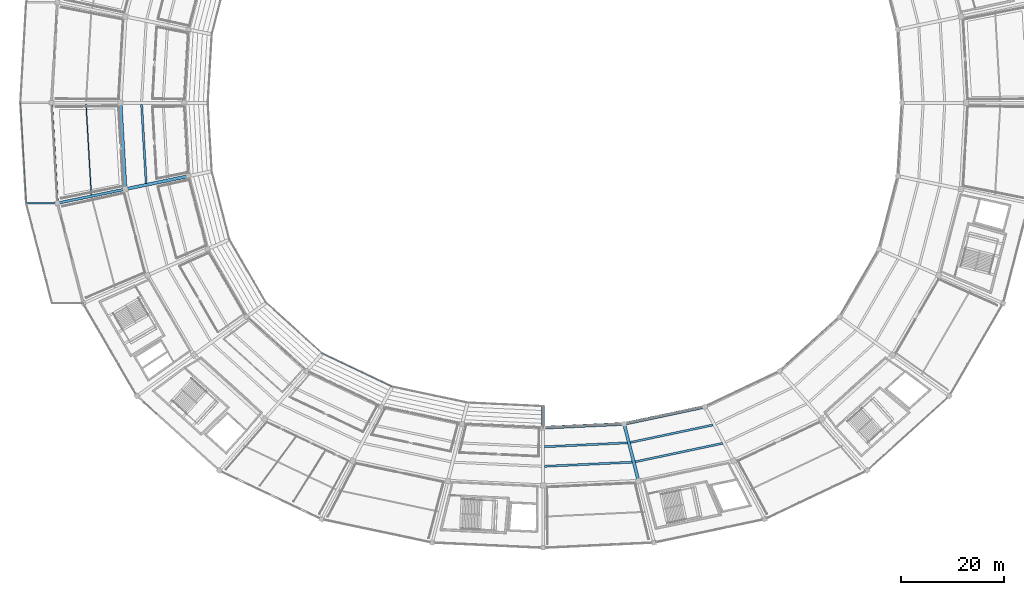
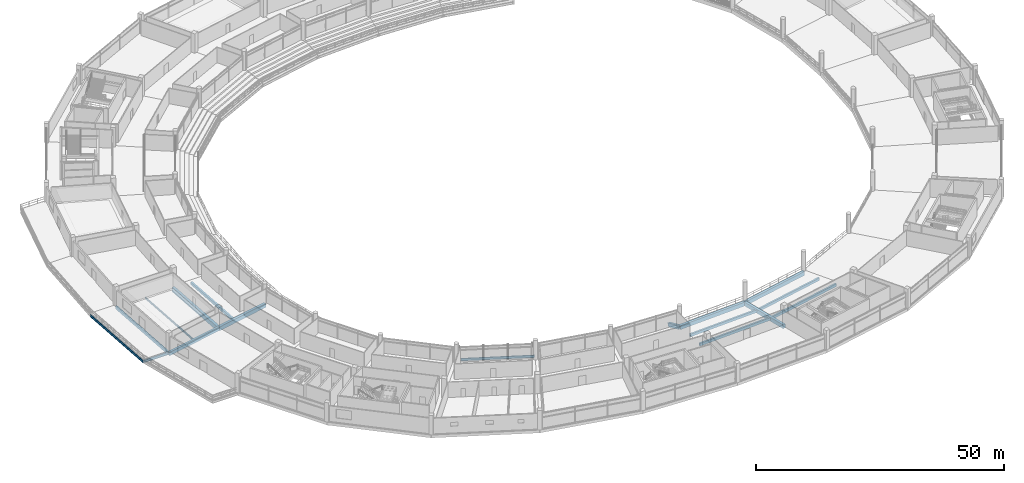
# One storey, part 33 of 171: 17 beams.
"""IFC4 building model written with IfcOpenShell, lengths in metres."""

from ifc_helpers import new_model, si_unit, direction, frame, origin, origin_2d, place, context, subcontext, project, spatial, rectangle, i_section, extrude, material, material_profile, profile_set, type_object, element, save


model = new_model("IFC4")

# Units and contexts
model_context = context("Model", 3, precision=1e-05, world=origin(), true_north=direction((0.0, 1.0)))
body_context = subcontext(model_context, "Body", "Model", "MODEL_VIEW")
ifc_project = project(units=[si_unit("LENGTHUNIT", "METRE"), si_unit("AREAUNIT", "SQUARE_METRE"), si_unit("VOLUMEUNIT", "CUBIC_METRE"), si_unit("PLANEANGLEUNIT", "RADIAN"), si_unit("MASSUNIT", "GRAM", prefix="KILO")], contexts=[model_context])

# Site, building, storey
site_placement = place(None, origin())
site = spatial("IfcSite", under=ifc_project, at=site_placement, CompositionType="ELEMENT")
building_placement = place(site_placement, origin())
building = spatial("IfcBuilding", under=site, at=building_placement, Name="Kazemori Nagisa Stadium", CompositionType="ELEMENT")
storey_placement = place(building_placement, frame((0.0, 0.0, 15.639892578125)))
storey = spatial("IfcBuildingStorey", under=building, at=storey_placement, Name="L03", CompositionType="ELEMENT", Elevation=15.639892578125)

# Beams
ifc_material_1 = material(Name="Steel SN490B", Category="steel")
ifc_material_profile_1 = material_profile(ifc_material_1, i_section(OverallWidth=0.300048828125, OverallDepth=0.587890625, WebThickness=0.011962890625, FlangeThickness=0.02001953125, FilletRadius=0.012939453125, at=origin_2d()), Name="H-588x300x12x20")
ifc_profile_set_1 = profile_set([ifc_material_profile_1], Name="Steel SN490B")
beam_type_1 = type_object("IfcBeamType", Name="Beam_BG-H588", PredefinedType="BEAM", material=ifc_profile_set_1)
beam_1_placement = place(storey_placement, frame((29.119140625, 82.602294921875, -0.533935546875), z_axis=(-1.0, 0.0, 0.0), x_axis=(0.0, -1.0, 0.0)))
element("IfcBeam", 1, at=beam_1_placement, inside=storey, type_object=beam_type_1, Name="Boulevard radial girder BG-H588 L03 R4-16", PredefinedType="BEAM", context=body_context, shape_type="SweptSolid", body=[
    extrude(i_section(OverallWidth=0.300048828125, OverallDepth=0.587890625, WebThickness=0.011962890625, FlangeThickness=0.02001953125, FilletRadius=0.012939453125, at=origin_2d()), origin(), (0.0, 0.0, 1.0), 6.0),
])
ifc_material_2 = material(Name="Concrete C40/50 (Fc42)", Category="concrete")
ifc_material_profile_2 = material_profile(ifc_material_2, rectangle(XDim=0.5, YDim=0.85009765625, at=origin_2d()), Name="RC-BM-500x850")
ifc_profile_set_2 = profile_set([ifc_material_profile_2], Name="Concrete C40/50 (Fc42)")
beam_type_2 = type_object("IfcBeamType", Name="Beam_BG-RC500X850", PredefinedType="BEAM", material=ifc_profile_set_2)
beam_2_placement = place(storey_placement, frame((42.262451171875, 85.31787109375, -0.684814453125), z_axis=(-0.979315516463, -0.202339119339, 0.0), x_axis=(0.202339119339, -0.979315516463, 0.0)))
element("IfcBeam", 2, at=beam_2_placement, inside=storey, type_object=beam_type_2, Name="Radial girder BG-RC500X850 L03 R2-R3-16", PredefinedType="BEAM", context=body_context, shape_type="SweptSolid", body=[
    extrude(rectangle(XDim=0.5, YDim=0.85009765625, at=origin_2d()), origin(), (0.0, 0.0, 1.0), 13.4208984375),
])
ifc_material_profile_3 = material_profile(ifc_material_2, rectangle(XDim=0.60009765625, YDim=0.949951171875, at=origin_2d()), Name="RC-BM-600x950")
ifc_profile_set_3 = profile_set([ifc_material_profile_3], Name="Concrete C40/50 (Fc42)")
beam_type_3 = type_object("IfcBeamType", Name="Beam_BG-RC600X950", PredefinedType="BEAM", material=ifc_profile_set_3)
beam_3_placement = place(storey_placement, frame((123.0, 39.219970703125, -0.73486328125), z_axis=(0.998883604512, 0.047239227746, 0.0), x_axis=(-0.047239227746, 0.998883604512, 0.0)))
element("IfcBeam", 3, at=beam_3_placement, inside=storey, type_object=beam_type_3, Name="Ring girder BG-RC600X950 L03 R1-22", PredefinedType="BEAM", context=body_context, shape_type="SweptSolid", body=[
    extrude(rectangle(XDim=0.60009765625, YDim=0.949951171875, at=origin_2d()), origin(), (0.0, 0.0, 1.0), 15.65966796875),
])
beam_4_placement = place(storey_placement, frame((138.64208984375, 39.959716796875, -0.73486328125), z_axis=(0.978348272746, 0.206965352692, 0.0), x_axis=(-0.206965352692, 0.978348272746, 0.0)))
element("IfcBeam", 4, at=beam_4_placement, inside=storey, type_object=beam_type_3, Name="Ring girder BG-RC600X950 L03 R1-23", PredefinedType="BEAM", context=body_context, shape_type="SweptSolid", body=[
    extrude(rectangle(XDim=0.60009765625, YDim=0.949951171875, at=origin_2d()), origin(), (0.0, 0.0, 1.0), 15.950927734375),
])
beam_5_placement = place(storey_placement, frame((54.467041015625, 87.839599609375, -0.73486328125), z_axis=(-0.979313861938, -0.202347127025, 0.0), x_axis=(0.202347127025, -0.979313861938, 0.0)))
element("IfcBeam", 5, at=beam_5_placement, inside=storey, type_object=beam_type_3, Name="Radial girder BG-RC600X950 L03 R1-R2-16", PredefinedType="BEAM", context=body_context, shape_type="SweptSolid", body=[
    extrude(rectangle(XDim=0.60009765625, YDim=0.949951171875, at=origin_2d()), origin(), (0.0, 0.0, 1.0), 12.46240234375),
])
beam_6_placement = place(storey_placement, frame((138.64208984375, 39.959716796875, -0.73486328125), z_axis=(0.244481205955, -0.969654031052, 0.0), x_axis=(0.969654031052, 0.244481205955, 0.0)))
element("IfcBeam", 6, at=beam_6_placement, inside=storey, type_object=beam_type_3, Name="Radial girder BG-RC600X950 L03 R1-R2-23", PredefinedType="BEAM", context=body_context, shape_type="SweptSolid", body=[
    extrude(rectangle(XDim=0.60009765625, YDim=0.949951171875, at=origin_2d()), origin(), (0.0, 0.0, 1.0), 11.39404296875),
])
ifc_material_profile_4 = material_profile(ifc_material_2, rectangle(XDim=0.64990234375, YDim=1.050048828125, at=origin_2d()), Name="RC-BM-650x1050")
ifc_profile_set_4 = profile_set([ifc_material_profile_4], Name="Concrete C40/50 (Fc42)")
beam_type_4 = type_object("IfcBeamType", Name="Beam_BG-RC650X1050", PredefinedType="BEAM", material=ifc_profile_set_4)
beam_7_placement = place(storey_placement, frame((41.300048828125, 102.0, -0.784912109375), z_axis=(0.057594854854, -0.998340038611, 0.0), x_axis=(0.998340038611, 0.057594854854, 0.0)))
element("IfcBeam", 7, at=beam_7_placement, inside=storey, type_object=beam_type_4, Name="Ring girder BG-RC650X1050 L03 R2-15", PredefinedType="BEAM", context=body_context, shape_type="SweptSolid", body=[
    extrude(rectangle(XDim=0.64990234375, YDim=1.050048828125, at=origin_2d()), origin(), (0.0, 0.0, 1.0), 16.7099609375),
])
ifc_material_profile_5 = material_profile(ifc_material_1, i_section(OverallWidth=0.199951171875, OverallDepth=0.449951171875, WebThickness=0.009033203125, FlangeThickness=0.013916015625, FilletRadius=0.012939453125, at=origin_2d()), Name="H-450x200x9x14")
ifc_profile_set_5 = profile_set([ifc_material_profile_5], Name="Steel SN490B")
beam_type_5 = type_object("IfcBeamType", Name="Beam_BJ-H450", PredefinedType="JOIST", material=ifc_profile_set_5)
beam_8_placement = place(storey_placement, frame((34.6640625, 101.75537109375, -0.48486328125), z_axis=(0.057605851522, -0.998339404146, 0.0), x_axis=(0.998339404146, 0.057605851522, 0.0)))
element("IfcBeam", 8, at=beam_8_placement, inside=storey, type_object=beam_type_5, Name="Outer bay joist BJ-H450 L03 B15", PredefinedType="JOIST", context=body_context, shape_type="SweptSolid", body=[
    extrude(i_section(OverallWidth=0.199951171875, OverallDepth=0.449951171875, WebThickness=0.009033203125, FlangeThickness=0.013916015625, FilletRadius=0.012939453125, at=origin_2d()), origin(), (0.0, 0.0, 1.0), 17.579833984375),
])
ifc_material_profile_6 = material_profile(ifc_material_2, rectangle(XDim=0.39990234375, YDim=0.64990234375, at=origin_2d()), Name="RC-BM-400x650")
ifc_profile_set_6 = profile_set([ifc_material_profile_6], Name="Concrete C40/50 (Fc42)")
beam_type_6 = type_object("IfcBeamType", Name="Beam_BJ-RC400X650", PredefinedType="JOIST", material=ifc_profile_set_6)
beam_9_placement = place(storey_placement, frame((45.402099609375, 101.70556640625, -0.5849609375), z_axis=(0.057599290514, -0.998339782705, 0.0), x_axis=(0.998339782705, 0.057599290514, 0.0)))
element("IfcBeam", 9, at=beam_9_placement, inside=storey, type_object=beam_type_6, Name="Concourse joist BJ-RC400X650 L03 B15-2", PredefinedType="JOIST", context=body_context, shape_type="SweptSolid", body=[
    extrude(rectangle(XDim=0.39990234375, YDim=0.64990234375, at=origin_2d()), origin(), (0.0, 0.0, 1.0), 15.284423828125),
])
beam_10_placement = place(storey_placement, frame((123.294677734375, 35.535888671875, -0.5849609375), z_axis=(0.998883867028, 0.047233676462, 0.0), x_axis=(-0.047233676462, 0.998883867028, 0.0)))
element("IfcBeam", 10, at=beam_10_placement, inside=storey, type_object=beam_type_6, Name="Concourse joist BJ-RC400X650 L03 B22-1", PredefinedType="JOIST", context=body_context, shape_type="SweptSolid", body=[
    extrude(rectangle(XDim=0.39990234375, YDim=0.64990234375, at=origin_2d()), origin(), (0.0, 0.0, 1.0), 15.9921875),
])
beam_11_placement = place(storey_placement, frame((123.294677734375, 31.751953125, -0.5849609375), z_axis=(0.998884256715, 0.047225434754, 0.0), x_axis=(-0.047225434754, 0.998884256715, 0.0)))
element("IfcBeam", 11, at=beam_11_placement, inside=storey, type_object=beam_type_6, Name="Concourse joist BJ-RC400X650 L03 B22-2", PredefinedType="JOIST", context=body_context, shape_type="SweptSolid", body=[
    extrude(rectangle(XDim=0.39990234375, YDim=0.64990234375, at=origin_2d()), origin(), (0.0, 0.0, 1.0), 16.935791015625),
])
beam_12_placement = place(storey_placement, frame((139.852294921875, 36.3662109375, -0.5849609375), z_axis=(0.978345737153, 0.206977338361, 0.0), x_axis=(-0.206977338361, 0.978345737153, 0.0)))
element("IfcBeam", 12, at=beam_12_placement, inside=storey, type_object=beam_type_6, Name="Concourse joist BJ-RC400X650 L03 B23-1", PredefinedType="JOIST", context=body_context, shape_type="SweptSolid", body=[
    extrude(rectangle(XDim=0.39990234375, YDim=0.64990234375, at=origin_2d()), origin(), (0.0, 0.0, 1.0), 16.30029296875),
])
beam_13_placement = place(storey_placement, frame((140.794921875, 32.626708984375, -0.5849609375), z_axis=(0.97834325925, 0.206989050628, 0.0), x_axis=(-0.206989050628, 0.97834325925, 0.0)))
element("IfcBeam", 13, at=beam_13_placement, inside=storey, type_object=beam_type_6, Name="Concourse joist BJ-RC400X650 L03 B23-2", PredefinedType="JOIST", context=body_context, shape_type="SweptSolid", body=[
    extrude(rectangle(XDim=0.39990234375, YDim=0.64990234375, at=origin_2d()), origin(), (0.0, 0.0, 1.0), 17.26171875),
])
ifc_material_profile_7 = material_profile(ifc_material_1, i_section(OverallWidth=0.199951171875, OverallDepth=0.60009765625, WebThickness=0.010986328125, FlangeThickness=0.01708984375, FilletRadius=0.012939453125, at=origin_2d()), Name="H-600x200x11x17")
ifc_profile_set_7 = profile_set([ifc_material_profile_7], Name="Steel SN490B")
beam_type_7 = type_object("IfcBeamType", Name="Beam_BS-H600", PredefinedType="SPANDREL", material=ifc_profile_set_7)
beam_14_placement = place(storey_placement, frame((22.0, 102.0, -0.533935546875), z_axis=(0.057598702622, -0.998339816624, 0.0), x_axis=(0.998339816624, 0.057598702622, 0.0)))
element("IfcBeam", 14, at=beam_14_placement, inside=storey, type_object=beam_type_7, Name="Boulevard edge beam BS-H600 L03 R4-15", PredefinedType="SPANDREL", context=body_context, shape_type="SweptSolid", body=[
    extrude(i_section(OverallWidth=0.199951171875, OverallDepth=0.60009765625, WebThickness=0.010986328125, FlangeThickness=0.01708984375, FilletRadius=0.012939453125, at=origin_2d()), origin(), (0.0, 0.0, 1.0), 19.429931640625),
])
beam_15_placement = place(storey_placement, frame((80.30810546875, 53.537841796875, -2.46484375), z_axis=(0.90321228594, -0.429194089575, 0.0), x_axis=(0.429194089575, 0.90321228594, 0.0)))
element("IfcBeam", 15, at=beam_15_placement, inside=storey, type_object=beam_type_7, Name="Club tier front edge beam 19", PredefinedType="SPANDREL", context=body_context, shape_type="SweptSolid", body=[
    extrude(i_section(OverallWidth=0.199951171875, OverallDepth=0.60009765625, WebThickness=0.010986328125, FlangeThickness=0.01708984375, FilletRadius=0.012939453125, at=origin_2d()), origin(), (0.0, 0.0, 1.0), 14.945556640625),
])
ifc_material_profile_8 = material_profile(ifc_material_2, rectangle(XDim=0.35009765625, YDim=0.699951171875, at=origin_2d()), Name="RC-SP-350x700")
ifc_profile_set_8 = profile_set([ifc_material_profile_8], Name="Concrete C40/50 (Fc42)")
beam_type_8 = type_object("IfcBeamType", Name="Beam_BS-RC350X700", PredefinedType="SPANDREL", material=ifc_profile_set_8)
beam_16_placement = place(storey_placement, frame((28.0, 102.0, -0.60986328125), z_axis=(0.057598702622, -0.998339816624, 0.0), x_axis=(0.998339816624, 0.057598702622, 0.0)))
element("IfcBeam", 16, at=beam_16_placement, inside=storey, type_object=beam_type_8, Name="Ring girder BS-RC350X700 L03 R3-15", PredefinedType="SPANDREL", context=body_context, shape_type="SweptSolid", body=[
    extrude(rectangle(XDim=0.35009765625, YDim=0.699951171875, at=origin_2d()), origin(), (0.0, 0.0, 1.0), 19.429931640625),
])
ifc_material_profile_9 = material_profile(ifc_material_2, rectangle(XDim=0.60009765625, YDim=0.89990234375, at=origin_2d()), Name="RC-RK-600x900")
ifc_profile_set_9 = profile_set([ifc_material_profile_9], Name="Concrete C40/50 (Fc42)")
beam_type_9 = type_object("IfcBeamType", Name="Beam_RK-RC600X900", PredefinedType="USERDEFINED", material=ifc_profile_set_9)
beam_17_placement = place(storey_placement, frame((123.0, 43.347900390625, -2.58984375), z_axis=(0.0, -0.908402313737, 0.418097161432), x_axis=(1.0, 0.0, 0.0)))
element("IfcBeam", 17, at=beam_17_placement, inside=storey, type_object=beam_type_9, Name="Raker beam club RK2-22", ObjectType="RAKER BEAM", PredefinedType="USERDEFINED", context=body_context, shape_type="SweptSolid", body=[
    extrude(rectangle(XDim=0.60009765625, YDim=0.89990234375, at=origin_2d()), origin(), (0.0, 0.0, 1.0), 4.544189453125),
])

save(model, "model.ifc")
